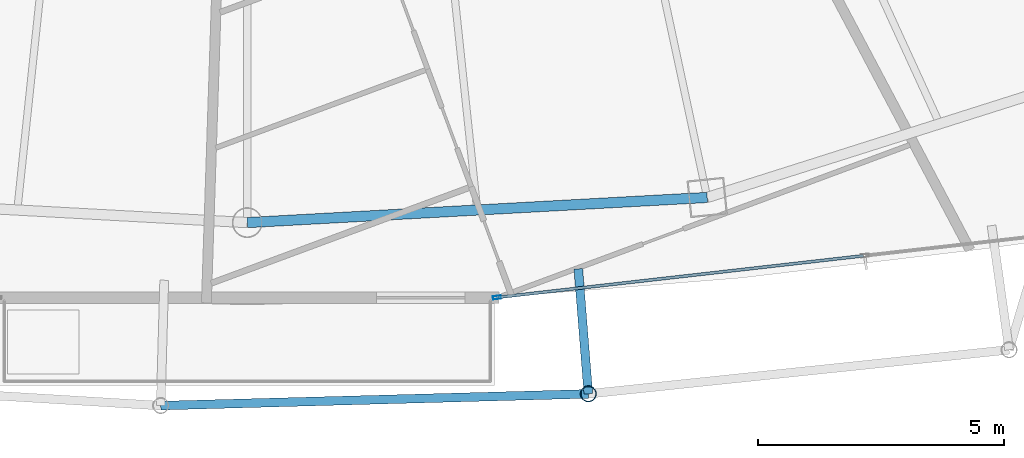
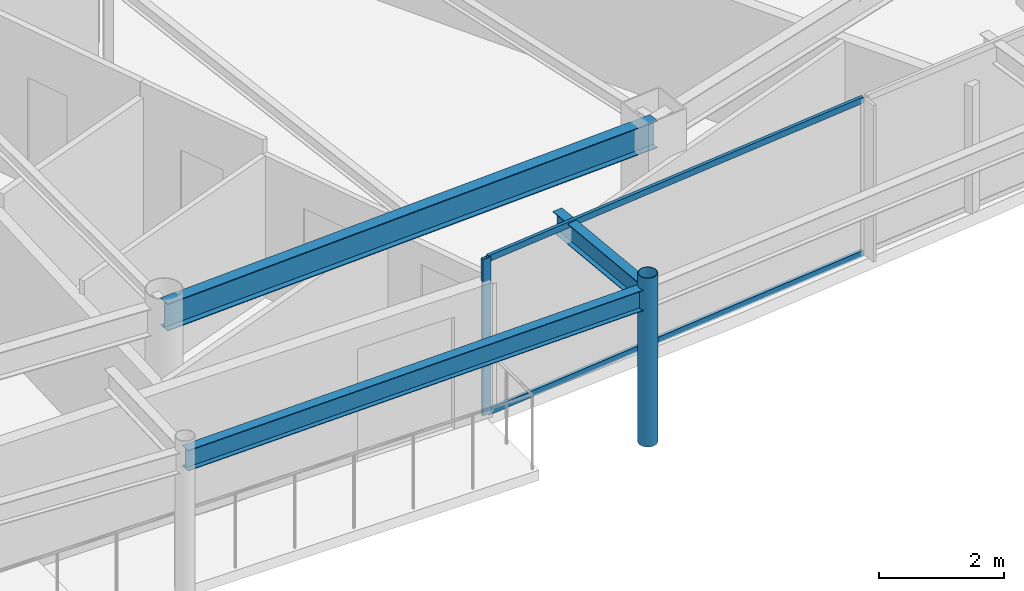
# One storey, part 8 of 29: 4 members, 3 beams, 1 element without a shape of its own.
"""IFC4 building model written with IfcOpenShell, lengths in metres."""

from ifc_helpers import new_model, si_unit, direction, frame, origin, origin_2d, place, context, subcontext, project, spatial, hollow_rectangle, hollow_circle, i_section, extrude, material, layer, layer_set, material_profile, profile_set, type_object, element, aggregate, save


model = new_model("IFC4")

# Units and contexts
model_context = context("Model", 3, precision=1e-05, world=origin(), true_north=direction((0.0, 1.0)))
body_context = subcontext(model_context, "Body", "Model", "MODEL_VIEW")
ifc_project = project(units=[si_unit("LENGTHUNIT", "METRE"), si_unit("AREAUNIT", "SQUARE_METRE"), si_unit("VOLUMEUNIT", "CUBIC_METRE"), si_unit("PLANEANGLEUNIT", "RADIAN"), si_unit("MASSUNIT", "GRAM", prefix="KILO")], contexts=[model_context])

# Site, building, storey
site_placement = place(None, origin())
site = spatial("IfcSite", under=ifc_project, at=site_placement, CompositionType="ELEMENT")
building_placement = place(site_placement, origin())
building = spatial("IfcBuilding", under=site, at=building_placement, Name="Orvanel Arch Residences", CompositionType="ELEMENT")
storey_placement = place(building_placement, frame((0.0, 0.0, 243.64990234375)))
storey = spatial("IfcBuildingStorey", under=building, at=storey_placement, Name="L69", CompositionType="ELEMENT", Elevation=243.64990234375)

# Curtain wall, member
ifc_material_1 = material(Name="Bronze-anodised aluminium AA6063-T6", Category="aluminium")
ifc_layer = layer(ifc_material_1, 0.175048828125)
ifc_layer_set = layer_set([ifc_layer], Name="Bronze-anodised aluminium AA6063-T6")
curtain_wall_type = type_object("IfcCurtainWallType", Name="CW4-HI-SYS", PredefinedType="NOTDEFINED", material=ifc_layer_set)
curtain_wall_placement = place(storey_placement, origin())
curtain_wall = element("IfcCurtainWall", 1, at=curtain_wall_placement, inside=storey, type_object=curtain_wall_type, Name="L69 CW4-HI-SYS Unitised Curtain Wall", PredefinedType="NOTDEFINED")
ifc_material_profile_1 = material_profile(ifc_material_1, hollow_rectangle(XDim=0.06494140625, YDim=0.159912109375, WallThickness=0.00390625, at=origin_2d()), Name="ALU160x65x4")
ifc_profile_set_1 = profile_set([ifc_material_profile_1], Name="Bronze-anodised aluminium AA6063-T6")
member_type_1 = type_object("IfcMemberType", Name="MUL-160x65", PredefinedType="MULLION", material=ifc_profile_set_1)
member_1_placement = place(storey_placement, frame((38.07421875, 5.32177734375, 0.0), z_axis=(0.0, 0.0, 1.0), x_axis=(-0.113000186209, 0.993594966733, 0.0)))
member_1 = element("IfcMember", 2, at=member_1_placement, type_object=member_type_1, Name="CW-S4 mullion 1", PredefinedType="MULLION", context=body_context, shape_type="SweptSolid", body=[
    extrude(hollow_rectangle(XDim=0.06494140625, YDim=0.159912109375, WallThickness=0.00390625, at=origin_2d()), origin(), (0.0, 0.0, 1.0), 3.06005859375),
])

# Beams
ifc_material_2 = material(Name="Structural steel AS/NZS 3679.1 Grade 300 (300 MPa)", Category="steel")
ifc_material_profile_2 = material_profile(ifc_material_2, i_section(OverallWidth=0.177978515625, OverallDepth=0.406005859375, WebThickness=0.0078125, FlangeThickness=0.0126953125, at=origin_2d()), Name="410UB59.7")
ifc_profile_set_2 = profile_set([ifc_material_profile_2], Name="Structural steel AS/NZS 3679.1 Grade 300 (300 MPa)")
beam_type_1 = type_object("IfcBeamType", Name="OB-410UB-EXT", PredefinedType="SPANDREL", material=ifc_profile_set_2)
beam_1_placement = place(storey_placement, frame((31.239990234375, 3.123046875, 2.857177734375), z_axis=(0.999622322633, 0.027481122514, 0.0), x_axis=(-0.027481122514, 0.999622322633, 0.0)))
element("IfcBeam", 3, at=beam_1_placement, inside=storey, type_object=beam_type_1, Name="L69 Outer Perimeter Floor Ring Beam 06", PredefinedType="SPANDREL", context=body_context, shape_type="SweptSolid", body=[
    extrude(i_section(OverallWidth=0.177978515625, OverallDepth=0.406005859375, WebThickness=0.0078125, FlangeThickness=0.0126953125, at=origin_2d()), origin(), (0.0, 0.0, 1.0), 8.697265625),
])
beam_2_placement = place(storey_placement, frame((39.72998046875, 5.904052734375, 2.857177734375), z_axis=(0.080034402344, -0.996792101916, 0.0), x_axis=(0.996792101916, 0.080034402344, 0.0)))
element("IfcBeam", 4, at=beam_2_placement, inside=storey, type_object=beam_type_1, Name="L69 Outer Frame Radial Tie Beam 07", PredefinedType="SPANDREL", context=body_context, shape_type="SweptSolid", body=[
    extrude(i_section(OverallWidth=0.177978515625, OverallDepth=0.406005859375, WebThickness=0.0078125, FlangeThickness=0.0126953125, at=origin_2d()), origin(), (0.0, 0.0, 1.0), 2.55029296875),
])
ifc_material_profile_3 = material_profile(ifc_material_2, i_section(OverallWidth=0.208984375, OverallDepth=0.532958984375, WebThickness=0.01025390625, FlangeThickness=0.015625, at=origin_2d()), Name="530UB92.4")
ifc_profile_set_3 = profile_set([ifc_material_profile_3], Name="Structural steel AS/NZS 3679.1 Grade 300 (300 MPa)")
beam_type_2 = type_object("IfcBeamType", Name="SP-530UB", PredefinedType="SPANDREL", material=ifc_profile_set_3)
beam_3_placement = place(storey_placement, frame((33.0, 6.843994140625, 2.794189453125), z_axis=(0.998510315598, 0.054563262768, 0.0), x_axis=(-0.054563262768, 0.998510315598, 0.0)))
element("IfcBeam", 5, at=beam_3_placement, inside=storey, type_object=beam_type_2, Name="L69 Perimeter Spandrel Beam 04", PredefinedType="SPANDREL", context=body_context, shape_type="SweptSolid", body=[
    extrude(i_section(OverallWidth=0.208984375, OverallDepth=0.532958984375, WebThickness=0.01025390625, FlangeThickness=0.015625, at=origin_2d()), origin(), (0.0, 0.0, 1.0), 9.364990234375),
])

# Member
ifc_material_3 = material(Name="Structural steel AS/NZS 1163 C350L0 (Grade 350)", Category="steel")
ifc_material_profile_4 = material_profile(ifc_material_3, hollow_circle(Radius=0.162109375, WallThickness=0.0126953125, at=origin_2d()), Name="CHS324x12.7")
ifc_profile_set_4 = profile_set([ifc_material_profile_4], Name="Structural steel AS/NZS 1163 C350L0 (Grade 350)")
member_type_2 = type_object("IfcMemberType", Name="ST-324CHS-EXT", PredefinedType="STRUT", material=ifc_profile_set_4)
member_2_placement = place(storey_placement, frame((39.93408203125, 3.362060546875, 0.0), z_axis=(0.0, 0.0, 1.0), x_axis=(1.0, 0.0, 0.0)))
element("IfcMember", 6, at=member_2_placement, inside=storey, type_object=member_type_2, Name="L69 Outer Perimeter Frame Post 07", PredefinedType="STRUT", context=body_context, shape_type="SweptSolid", body=[
    extrude(hollow_circle(Radius=0.162109375, WallThickness=0.0126953125, at=origin_2d()), origin(), (0.0, 0.0, 1.0), 3.300048828125),
])

ifc_material_profile_5 = material_profile(ifc_material_1, hollow_rectangle(XDim=0.06005859375, YDim=0.1201171875, WallThickness=0.00341796875, at=origin_2d()), Name="ALU120x60x3.5")
ifc_profile_set_5 = profile_set([ifc_material_profile_5], Name="Bronze-anodised aluminium AA6063-T6")
member_type_3 = type_object("IfcMemberType", Name="TRN-120x60", PredefinedType="USERDEFINED", material=ifc_profile_set_5)
member_3_placement = place(storey_placement, frame((38.106689453125, 5.325439453125, 0.030029296875), z_axis=(0.993594408801, 0.113005091922, 0.0), x_axis=(-0.113005091922, 0.993594408801, 0.0)))
member_3 = element("IfcMember", 7, at=member_3_placement, type_object=member_type_3, Name="CW-S4 transom 1.1", ObjectType="TRANSOM", PredefinedType="USERDEFINED", context=body_context, shape_type="SweptSolid", body=[
    extrude(hollow_rectangle(XDim=0.06005859375, YDim=0.1201171875, WallThickness=0.00341796875, at=origin_2d()), origin(), (0.0, 0.0, 1.0), 7.46435546875),
])

member_4_placement = place(storey_placement, frame((38.106689453125, 5.325439453125, 3.030029296875), z_axis=(0.993594408801, 0.113005091922, 0.0), x_axis=(-0.113005091922, 0.993594408801, 0.0)))
member_4 = element("IfcMember", 8, at=member_4_placement, type_object=member_type_3, Name="CW-S4 transom 1.2", ObjectType="TRANSOM", PredefinedType="USERDEFINED", context=body_context, shape_type="SweptSolid", body=[
    extrude(hollow_rectangle(XDim=0.06005859375, YDim=0.1201171875, WallThickness=0.00341796875, at=origin_2d()), origin(), (0.0, 0.0, 1.0), 7.46435546875),
])

aggregate(curtain_wall, [member_1, member_3, member_4])

save(model, "model.ifc")
